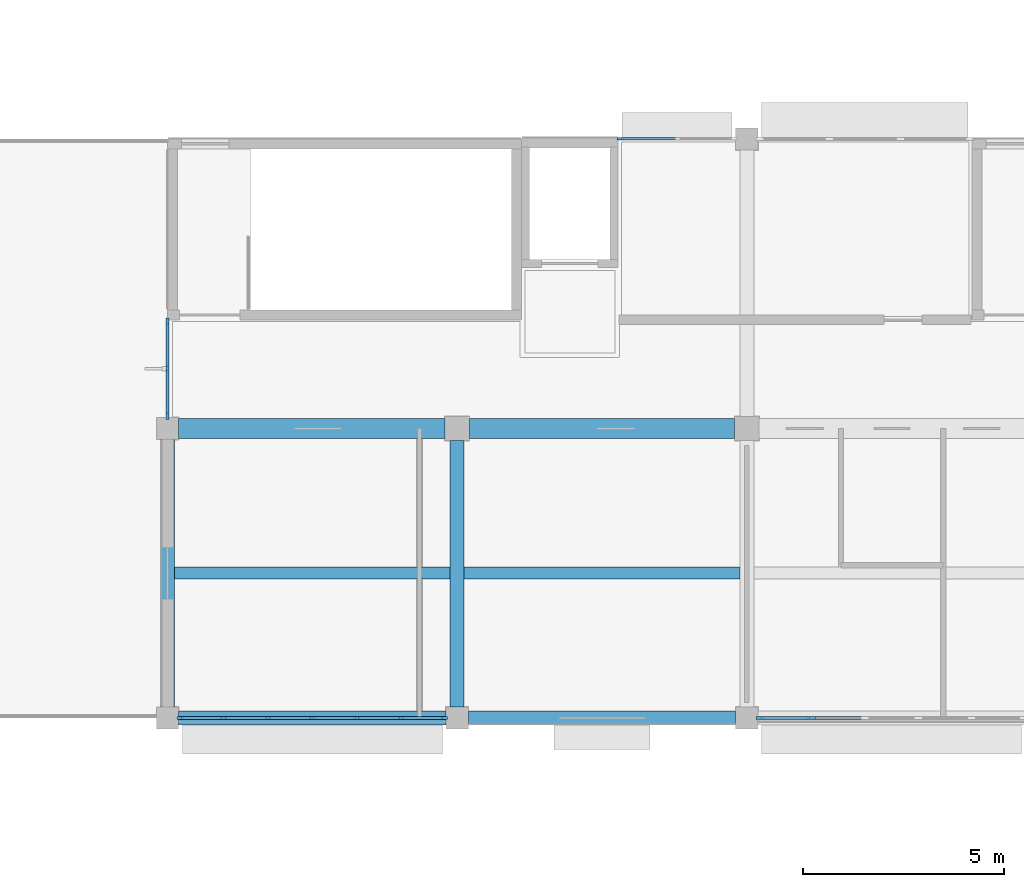
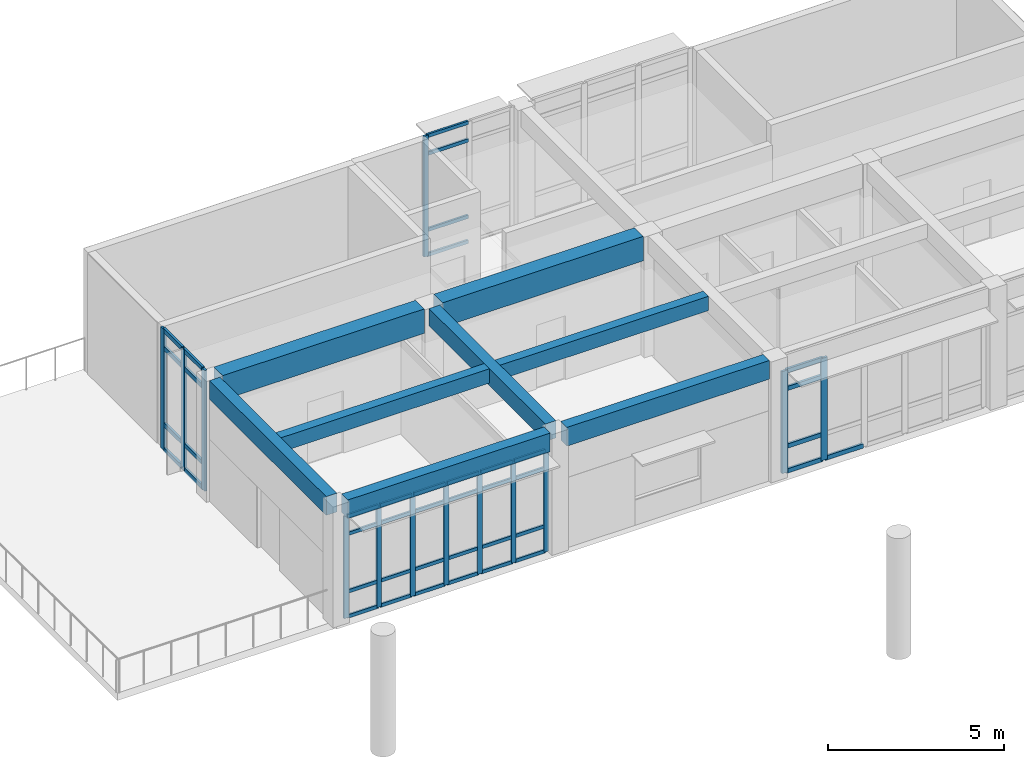
# One storey, part 3 of 41: 54 members, 8 beams, 4 elements without a shape of their own.
"""IFC4 building model written with IfcOpenShell, lengths in metres."""

from ifc_helpers import new_model, si_unit, direction, frame, origin, origin_2d, place, context, subcontext, project, spatial, rectangle, extrude, material, layer, layer_set, material_profile, profile_set, type_object, element, aggregate, save


model = new_model("IFC4")

# Units and contexts
model_context = context("Model", 3, precision=1e-05, world=origin(), true_north=direction((0.0, 1.0)))
body_context = subcontext(model_context, "Body", "Model", "MODEL_VIEW")
ifc_project = project(units=[si_unit("LENGTHUNIT", "METRE"), si_unit("AREAUNIT", "SQUARE_METRE"), si_unit("VOLUMEUNIT", "CUBIC_METRE"), si_unit("PLANEANGLEUNIT", "RADIAN"), si_unit("MASSUNIT", "GRAM", prefix="KILO")], contexts=[model_context])

# Site, building, storey
site_placement = place(None, origin())
site = spatial("IfcSite", under=ifc_project, at=site_placement, CompositionType="ELEMENT")
building_placement = place(site_placement, origin())
building = spatial("IfcBuilding", under=site, at=building_placement, Name="Namkhue Oval Health Centre", CompositionType="ELEMENT")
storey_placement = place(building_placement, frame((0.0, 0.0, 13.800048828125)))
storey = spatial("IfcBuildingStorey", under=building, at=storey_placement, Name="L03", CompositionType="ELEMENT", Elevation=13.800048828125)

# Curtain wall, members
ifc_material_1 = material(Name="Anodised aluminium EN AW-6063 T6", Category="aluminium")
ifc_layer_1 = layer(ifc_material_1, 0.159912109375)
ifc_layer_set_1 = layer_set([ifc_layer_1], Name="Anodised aluminium EN AW-6063 T6")
curtain_wall_type_1 = type_object("IfcCurtainWallType", Name="UNITISED CURTAIN WALL M1200", PredefinedType="NOTDEFINED", material=ifc_layer_set_1)
curtain_wall_1_placement = place(storey_placement, origin())
curtain_wall_1 = element("IfcCurtainWall", 1, at=curtain_wall_1_placement, inside=storey, type_object=curtain_wall_type_1, Name="Volume V4 L03 Unitised Curtain Wall 169", PredefinedType="NOTDEFINED")
ifc_material_profile_1 = material_profile(ifc_material_1, rectangle(XDim=0.06494140625, YDim=0.159912109375, at=origin_2d()), Name="ALU 65x160")
ifc_profile_set_1 = profile_set([ifc_material_profile_1], Name="Anodised aluminium EN AW-6063 T6")
member_type_1 = type_object("IfcMemberType", Name="CURTAIN WALL MULLION 65X160", PredefinedType="MULLION", material=ifc_profile_set_1)
member_1_placement = place(storey_placement, frame((57.91845703125, 14.39990234375, 0.0), z_axis=(0.0, 0.0, 1.0), x_axis=(0.0, 1.0, 0.0)))
member_1 = element("IfcMember", 2, at=member_1_placement, type_object=member_type_1, Name="CW-01 mullion 1", PredefinedType="MULLION", context=body_context, shape_type="SweptSolid", body=[
    extrude(rectangle(XDim=0.06494140625, YDim=0.159912109375, at=origin_2d()), origin(), (0.0, 0.0, 1.0), 3.550048828125),
])
member_2_placement = place(storey_placement, frame((58.99072265625, 14.39990234375, 0.0), z_axis=(0.0, 0.0, 1.0), x_axis=(0.0, 1.0, 0.0)))
member_2 = element("IfcMember", 3, at=member_2_placement, type_object=member_type_1, Name="CW-01 mullion 2", PredefinedType="MULLION", context=body_context, shape_type="SweptSolid", body=[
    extrude(rectangle(XDim=0.06494140625, YDim=0.159912109375, at=origin_2d()), origin(), (0.0, 0.0, 1.0), 3.550048828125),
])
member_3_placement = place(storey_placement, frame((60.09521484375, 14.39990234375, 0.0), z_axis=(0.0, 0.0, 1.0), x_axis=(0.0, 1.0, 0.0)))
member_3 = element("IfcMember", 4, at=member_3_placement, type_object=member_type_1, Name="CW-01 mullion 3", PredefinedType="MULLION", context=body_context, shape_type="SweptSolid", body=[
    extrude(rectangle(XDim=0.06494140625, YDim=0.159912109375, at=origin_2d()), origin(), (0.0, 0.0, 1.0), 3.550048828125),
])
member_4_placement = place(storey_placement, frame((61.199951171875, 14.39990234375, 0.0), z_axis=(0.0, 0.0, 1.0), x_axis=(0.0, 1.0, 0.0)))
member_4 = element("IfcMember", 5, at=member_4_placement, type_object=member_type_1, Name="CW-01 mullion 4", PredefinedType="MULLION", context=body_context, shape_type="SweptSolid", body=[
    extrude(rectangle(XDim=0.06494140625, YDim=0.159912109375, at=origin_2d()), origin(), (0.0, 0.0, 1.0), 3.550048828125),
])
member_5_placement = place(storey_placement, frame((62.3046875, 14.39990234375, 0.0), z_axis=(0.0, 0.0, 1.0), x_axis=(0.0, 1.0, 0.0)))
member_5 = element("IfcMember", 6, at=member_5_placement, type_object=member_type_1, Name="CW-01 mullion 5", PredefinedType="MULLION", context=body_context, shape_type="SweptSolid", body=[
    extrude(rectangle(XDim=0.06494140625, YDim=0.159912109375, at=origin_2d()), origin(), (0.0, 0.0, 1.0), 3.550048828125),
])
member_6_placement = place(storey_placement, frame((63.409423828125, 14.39990234375, 0.0), z_axis=(0.0, 0.0, 1.0), x_axis=(0.0, 1.0, 0.0)))
member_6 = element("IfcMember", 7, at=member_6_placement, type_object=member_type_1, Name="CW-01 mullion 6", PredefinedType="MULLION", context=body_context, shape_type="SweptSolid", body=[
    extrude(rectangle(XDim=0.06494140625, YDim=0.159912109375, at=origin_2d()), origin(), (0.0, 0.0, 1.0), 3.550048828125),
])
member_7_placement = place(storey_placement, frame((64.4814453125, 14.39990234375, 0.0), z_axis=(0.0, 0.0, 1.0), x_axis=(0.0, 1.0, 0.0)))
member_7 = element("IfcMember", 8, at=member_7_placement, type_object=member_type_1, Name="CW-01 mullion 7", PredefinedType="MULLION", context=body_context, shape_type="SweptSolid", body=[
    extrude(rectangle(XDim=0.06494140625, YDim=0.159912109375, at=origin_2d()), origin(), (0.0, 0.0, 1.0), 3.550048828125),
])

# Curtain wall, member
curtain_wall_2_placement = place(storey_placement, origin())
curtain_wall_2 = element("IfcCurtainWall", 9, at=curtain_wall_2_placement, inside=storey, type_object=curtain_wall_type_1, Name="Volume V4 L03 Unitised Curtain Wall 175", PredefinedType="NOTDEFINED")
member_8_placement = place(storey_placement, frame((68.849609375, 28.800048828125, 0.0), z_axis=(0.0, 0.0, 1.0), x_axis=(0.0, -1.0, 0.0)))
member_8 = element("IfcMember", 10, at=member_8_placement, type_object=member_type_1, Name="CW-01 mullion 3", PredefinedType="MULLION", context=body_context, shape_type="SweptSolid", body=[
    extrude(rectangle(XDim=0.06494140625, YDim=0.159912109375, at=origin_2d()), origin(), (0.0, 0.0, 1.0), 4.199951171875),
])

# Curtain wall, members
ifc_layer_2 = layer(ifc_material_1, 0.159912109375)
ifc_layer_set_2 = layer_set([ifc_layer_2], Name="Anodised aluminium EN AW-6063 T6")
curtain_wall_type_2 = type_object("IfcCurtainWallType", Name="UNITISED CURTAIN WALL M1350", PredefinedType="NOTDEFINED", material=ifc_layer_set_2)
curtain_wall_3_placement = place(storey_placement, origin())
curtain_wall_3 = element("IfcCurtainWall", 11, at=curtain_wall_3_placement, inside=storey, type_object=curtain_wall_type_2, Name="Volume V4 L03 Unitised Curtain Wall 170", PredefinedType="NOTDEFINED")
ifc_material_profile_2 = material_profile(ifc_material_1, rectangle(XDim=0.074951171875, YDim=0.199951171875, at=origin_2d()), Name="ALU 75x200")
ifc_profile_set_2 = profile_set([ifc_material_profile_2], Name="Anodised aluminium EN AW-6063 T6")
member_type_2 = type_object("IfcMemberType", Name="CURTAIN WALL MULLION 75X200", PredefinedType="MULLION", material=ifc_profile_set_2)
member_9_placement = place(storey_placement, frame((72.323486328125, 14.39990234375, 0.0), z_axis=(0.0, 0.0, 1.0), x_axis=(0.0, 1.0, 0.0)))
member_9 = element("IfcMember", 12, at=member_9_placement, type_object=member_type_2, Name="CW-02 mullion 1", PredefinedType="MULLION", context=body_context, shape_type="SweptSolid", body=[
    extrude(rectangle(XDim=0.074951171875, YDim=0.199951171875, at=origin_2d()), origin(), (0.0, 0.0, 1.0), 3.550048828125),
])
member_10_placement = place(storey_placement, frame((73.611572265625, 14.39990234375, 0.0), z_axis=(0.0, 0.0, 1.0), x_axis=(0.0, 1.0, 0.0)))
member_10 = element("IfcMember", 13, at=member_10_placement, type_object=member_type_2, Name="CW-02 mullion 2", PredefinedType="MULLION", context=body_context, shape_type="SweptSolid", body=[
    extrude(rectangle(XDim=0.074951171875, YDim=0.199951171875, at=origin_2d()), origin(), (0.0, 0.0, 1.0), 3.550048828125),
])

curtain_wall_4_placement = place(storey_placement, origin())
curtain_wall_4 = element("IfcCurtainWall", 14, at=curtain_wall_4_placement, inside=storey, type_object=curtain_wall_type_2, Name="Volume V4 L03 Unitised Curtain Wall 176", PredefinedType="NOTDEFINED")
member_11_placement = place(storey_placement, frame((57.60009765625, 24.24560546875, 0.0), z_axis=(0.0, 0.0, 1.0), x_axis=(1.0, 0.0, 0.0)))
member_11 = element("IfcMember", 15, at=member_11_placement, type_object=member_type_2, Name="CW-02 mullion 1", PredefinedType="MULLION", context=body_context, shape_type="SweptSolid", body=[
    extrude(rectangle(XDim=0.074951171875, YDim=0.199951171875, at=origin_2d()), origin(), (0.0, 0.0, 1.0), 4.199951171875),
])
member_12_placement = place(storey_placement, frame((57.60009765625, 23.08447265625, 0.0), z_axis=(0.0, 0.0, 1.0), x_axis=(1.0, 0.0, 0.0)))
member_12 = element("IfcMember", 16, at=member_12_placement, type_object=member_type_2, Name="CW-02 mullion 2", PredefinedType="MULLION", context=body_context, shape_type="SweptSolid", body=[
    extrude(rectangle(XDim=0.074951171875, YDim=0.199951171875, at=origin_2d()), origin(), (0.0, 0.0, 1.0), 4.199951171875),
])
member_13_placement = place(storey_placement, frame((57.60009765625, 21.923583984375, 0.0), z_axis=(0.0, 0.0, 1.0), x_axis=(1.0, 0.0, 0.0)))
member_13 = element("IfcMember", 17, at=member_13_placement, type_object=member_type_2, Name="CW-02 mullion 3", PredefinedType="MULLION", context=body_context, shape_type="SweptSolid", body=[
    extrude(rectangle(XDim=0.074951171875, YDim=0.199951171875, at=origin_2d()), origin(), (0.0, 0.0, 1.0), 4.199951171875),
])

# Member
ifc_material_profile_3 = material_profile(ifc_material_1, rectangle(XDim=0.06494140625, YDim=0.1201171875, at=origin_2d()), Name="ALU 65x120")
ifc_profile_set_3 = profile_set([ifc_material_profile_3], Name="Anodised aluminium EN AW-6063 T6")
member_type_3 = type_object("IfcMemberType", Name="CURTAIN WALL TRANSOM 65X120", PredefinedType="USERDEFINED", material=ifc_profile_set_3)
member_14_placement = place(storey_placement, frame((57.950927734375, 14.39990234375, 0.032470703125), z_axis=(1.0, 0.0, 0.0), x_axis=(0.0, 1.0, 0.0)))
member_14 = element("IfcMember", 18, at=member_14_placement, type_object=member_type_3, Name="CW-01 transom 1.1", ObjectType="TRANSOM", PredefinedType="USERDEFINED", context=body_context, shape_type="SweptSolid", body=[
    extrude(rectangle(XDim=0.06494140625, YDim=0.1201171875, at=origin_2d()), origin(), (0.0, 0.0, 1.0), 1.00732421875),
])

member_15_placement = place(storey_placement, frame((57.950927734375, 14.39990234375, 0.89990234375), z_axis=(1.0, 0.0, 0.0), x_axis=(0.0, 1.0, 0.0)))
member_15 = element("IfcMember", 19, at=member_15_placement, type_object=member_type_3, Name="CW-01 transom 1.2", ObjectType="TRANSOM", PredefinedType="USERDEFINED", context=body_context, shape_type="SweptSolid", body=[
    extrude(rectangle(XDim=0.06494140625, YDim=0.1201171875, at=origin_2d()), origin(), (0.0, 0.0, 1.0), 1.00732421875),
])

member_16_placement = place(storey_placement, frame((57.950927734375, 14.39990234375, 2.89990234375), z_axis=(1.0, 0.0, 0.0), x_axis=(0.0, 1.0, 0.0)))
member_16 = element("IfcMember", 20, at=member_16_placement, type_object=member_type_3, Name="CW-01 transom 1.3", ObjectType="TRANSOM", PredefinedType="USERDEFINED", context=body_context, shape_type="SweptSolid", body=[
    extrude(rectangle(XDim=0.06494140625, YDim=0.1201171875, at=origin_2d()), origin(), (0.0, 0.0, 1.0), 1.00732421875),
])

member_17_placement = place(storey_placement, frame((57.950927734375, 14.39990234375, 3.517333984375), z_axis=(1.0, 0.0, 0.0), x_axis=(0.0, 1.0, 0.0)))
member_17 = element("IfcMember", 21, at=member_17_placement, type_object=member_type_3, Name="CW-01 transom 1.4", ObjectType="TRANSOM", PredefinedType="USERDEFINED", context=body_context, shape_type="SweptSolid", body=[
    extrude(rectangle(XDim=0.06494140625, YDim=0.1201171875, at=origin_2d()), origin(), (0.0, 0.0, 1.0), 1.00732421875),
])

member_18_placement = place(storey_placement, frame((59.023193359375, 14.39990234375, 0.032470703125), z_axis=(1.0, 0.0, 0.0), x_axis=(0.0, 1.0, 0.0)))
member_18 = element("IfcMember", 22, at=member_18_placement, type_object=member_type_3, Name="CW-01 transom 2.1", ObjectType="TRANSOM", PredefinedType="USERDEFINED", context=body_context, shape_type="SweptSolid", body=[
    extrude(rectangle(XDim=0.06494140625, YDim=0.1201171875, at=origin_2d()), origin(), (0.0, 0.0, 1.0), 1.03955078125),
])

member_19_placement = place(storey_placement, frame((59.023193359375, 14.39990234375, 0.89990234375), z_axis=(1.0, 0.0, 0.0), x_axis=(0.0, 1.0, 0.0)))
member_19 = element("IfcMember", 23, at=member_19_placement, type_object=member_type_3, Name="CW-01 transom 2.2", ObjectType="TRANSOM", PredefinedType="USERDEFINED", context=body_context, shape_type="SweptSolid", body=[
    extrude(rectangle(XDim=0.06494140625, YDim=0.1201171875, at=origin_2d()), origin(), (0.0, 0.0, 1.0), 1.03955078125),
])

member_20_placement = place(storey_placement, frame((59.023193359375, 14.39990234375, 2.89990234375), z_axis=(1.0, 0.0, 0.0), x_axis=(0.0, 1.0, 0.0)))
member_20 = element("IfcMember", 24, at=member_20_placement, type_object=member_type_3, Name="CW-01 transom 2.3", ObjectType="TRANSOM", PredefinedType="USERDEFINED", context=body_context, shape_type="SweptSolid", body=[
    extrude(rectangle(XDim=0.06494140625, YDim=0.1201171875, at=origin_2d()), origin(), (0.0, 0.0, 1.0), 1.03955078125),
])

member_21_placement = place(storey_placement, frame((59.023193359375, 14.39990234375, 3.517333984375), z_axis=(1.0, 0.0, 0.0), x_axis=(0.0, 1.0, 0.0)))
member_21 = element("IfcMember", 25, at=member_21_placement, type_object=member_type_3, Name="CW-01 transom 2.4", ObjectType="TRANSOM", PredefinedType="USERDEFINED", context=body_context, shape_type="SweptSolid", body=[
    extrude(rectangle(XDim=0.06494140625, YDim=0.1201171875, at=origin_2d()), origin(), (0.0, 0.0, 1.0), 1.03955078125),
])

member_22_placement = place(storey_placement, frame((60.1279296875, 14.39990234375, 0.032470703125), z_axis=(1.0, 0.0, 0.0), x_axis=(0.0, 1.0, 0.0)))
member_22 = element("IfcMember", 26, at=member_22_placement, type_object=member_type_3, Name="CW-01 transom 3.1", ObjectType="TRANSOM", PredefinedType="USERDEFINED", context=body_context, shape_type="SweptSolid", body=[
    extrude(rectangle(XDim=0.06494140625, YDim=0.1201171875, at=origin_2d()), origin(), (0.0, 0.0, 1.0), 1.03955078125),
])

member_23_placement = place(storey_placement, frame((60.1279296875, 14.39990234375, 0.89990234375), z_axis=(1.0, 0.0, 0.0), x_axis=(0.0, 1.0, 0.0)))
member_23 = element("IfcMember", 27, at=member_23_placement, type_object=member_type_3, Name="CW-01 transom 3.2", ObjectType="TRANSOM", PredefinedType="USERDEFINED", context=body_context, shape_type="SweptSolid", body=[
    extrude(rectangle(XDim=0.06494140625, YDim=0.1201171875, at=origin_2d()), origin(), (0.0, 0.0, 1.0), 1.03955078125),
])

member_24_placement = place(storey_placement, frame((60.1279296875, 14.39990234375, 2.89990234375), z_axis=(1.0, 0.0, 0.0), x_axis=(0.0, 1.0, 0.0)))
member_24 = element("IfcMember", 28, at=member_24_placement, type_object=member_type_3, Name="CW-01 transom 3.3", ObjectType="TRANSOM", PredefinedType="USERDEFINED", context=body_context, shape_type="SweptSolid", body=[
    extrude(rectangle(XDim=0.06494140625, YDim=0.1201171875, at=origin_2d()), origin(), (0.0, 0.0, 1.0), 1.03955078125),
])

member_25_placement = place(storey_placement, frame((60.1279296875, 14.39990234375, 3.517333984375), z_axis=(1.0, 0.0, 0.0), x_axis=(0.0, 1.0, 0.0)))
member_25 = element("IfcMember", 29, at=member_25_placement, type_object=member_type_3, Name="CW-01 transom 3.4", ObjectType="TRANSOM", PredefinedType="USERDEFINED", context=body_context, shape_type="SweptSolid", body=[
    extrude(rectangle(XDim=0.06494140625, YDim=0.1201171875, at=origin_2d()), origin(), (0.0, 0.0, 1.0), 1.03955078125),
])

member_26_placement = place(storey_placement, frame((61.232421875, 14.39990234375, 0.032470703125), z_axis=(1.0, 0.0, 0.0), x_axis=(0.0, 1.0, 0.0)))
member_26 = element("IfcMember", 30, at=member_26_placement, type_object=member_type_3, Name="CW-01 transom 4.1", ObjectType="TRANSOM", PredefinedType="USERDEFINED", context=body_context, shape_type="SweptSolid", body=[
    extrude(rectangle(XDim=0.06494140625, YDim=0.1201171875, at=origin_2d()), origin(), (0.0, 0.0, 1.0), 1.039794921875),
])

member_27_placement = place(storey_placement, frame((61.232421875, 14.39990234375, 0.89990234375), z_axis=(1.0, 0.0, 0.0), x_axis=(0.0, 1.0, 0.0)))
member_27 = element("IfcMember", 31, at=member_27_placement, type_object=member_type_3, Name="CW-01 transom 4.2", ObjectType="TRANSOM", PredefinedType="USERDEFINED", context=body_context, shape_type="SweptSolid", body=[
    extrude(rectangle(XDim=0.06494140625, YDim=0.1201171875, at=origin_2d()), origin(), (0.0, 0.0, 1.0), 1.039794921875),
])

member_28_placement = place(storey_placement, frame((61.232421875, 14.39990234375, 2.89990234375), z_axis=(1.0, 0.0, 0.0), x_axis=(0.0, 1.0, 0.0)))
member_28 = element("IfcMember", 32, at=member_28_placement, type_object=member_type_3, Name="CW-01 transom 4.3", ObjectType="TRANSOM", PredefinedType="USERDEFINED", context=body_context, shape_type="SweptSolid", body=[
    extrude(rectangle(XDim=0.06494140625, YDim=0.1201171875, at=origin_2d()), origin(), (0.0, 0.0, 1.0), 1.039794921875),
])

member_29_placement = place(storey_placement, frame((61.232421875, 14.39990234375, 3.517333984375), z_axis=(1.0, 0.0, 0.0), x_axis=(0.0, 1.0, 0.0)))
member_29 = element("IfcMember", 33, at=member_29_placement, type_object=member_type_3, Name="CW-01 transom 4.4", ObjectType="TRANSOM", PredefinedType="USERDEFINED", context=body_context, shape_type="SweptSolid", body=[
    extrude(rectangle(XDim=0.06494140625, YDim=0.1201171875, at=origin_2d()), origin(), (0.0, 0.0, 1.0), 1.039794921875),
])

member_30_placement = place(storey_placement, frame((62.337158203125, 14.39990234375, 0.032470703125), z_axis=(1.0, 0.0, 0.0), x_axis=(0.0, 1.0, 0.0)))
member_30 = element("IfcMember", 34, at=member_30_placement, type_object=member_type_3, Name="CW-01 transom 5.1", ObjectType="TRANSOM", PredefinedType="USERDEFINED", context=body_context, shape_type="SweptSolid", body=[
    extrude(rectangle(XDim=0.06494140625, YDim=0.1201171875, at=origin_2d()), origin(), (0.0, 0.0, 1.0), 1.039794921875),
])

member_31_placement = place(storey_placement, frame((62.337158203125, 14.39990234375, 0.89990234375), z_axis=(1.0, 0.0, 0.0), x_axis=(0.0, 1.0, 0.0)))
member_31 = element("IfcMember", 35, at=member_31_placement, type_object=member_type_3, Name="CW-01 transom 5.2", ObjectType="TRANSOM", PredefinedType="USERDEFINED", context=body_context, shape_type="SweptSolid", body=[
    extrude(rectangle(XDim=0.06494140625, YDim=0.1201171875, at=origin_2d()), origin(), (0.0, 0.0, 1.0), 1.039794921875),
])

member_32_placement = place(storey_placement, frame((62.337158203125, 14.39990234375, 2.89990234375), z_axis=(1.0, 0.0, 0.0), x_axis=(0.0, 1.0, 0.0)))
member_32 = element("IfcMember", 36, at=member_32_placement, type_object=member_type_3, Name="CW-01 transom 5.3", ObjectType="TRANSOM", PredefinedType="USERDEFINED", context=body_context, shape_type="SweptSolid", body=[
    extrude(rectangle(XDim=0.06494140625, YDim=0.1201171875, at=origin_2d()), origin(), (0.0, 0.0, 1.0), 1.039794921875),
])

member_33_placement = place(storey_placement, frame((62.337158203125, 14.39990234375, 3.517333984375), z_axis=(1.0, 0.0, 0.0), x_axis=(0.0, 1.0, 0.0)))
member_33 = element("IfcMember", 37, at=member_33_placement, type_object=member_type_3, Name="CW-01 transom 5.4", ObjectType="TRANSOM", PredefinedType="USERDEFINED", context=body_context, shape_type="SweptSolid", body=[
    extrude(rectangle(XDim=0.06494140625, YDim=0.1201171875, at=origin_2d()), origin(), (0.0, 0.0, 1.0), 1.039794921875),
])

member_34_placement = place(storey_placement, frame((63.44189453125, 14.39990234375, 0.032470703125), z_axis=(1.0, 0.0, 0.0), x_axis=(0.0, 1.0, 0.0)))
member_34 = element("IfcMember", 38, at=member_34_placement, type_object=member_type_3, Name="CW-01 transom 6.1", ObjectType="TRANSOM", PredefinedType="USERDEFINED", context=body_context, shape_type="SweptSolid", body=[
    extrude(rectangle(XDim=0.06494140625, YDim=0.1201171875, at=origin_2d()), origin(), (0.0, 0.0, 1.0), 1.007080078125),
])

member_35_placement = place(storey_placement, frame((63.44189453125, 14.39990234375, 0.89990234375), z_axis=(1.0, 0.0, 0.0), x_axis=(0.0, 1.0, 0.0)))
member_35 = element("IfcMember", 39, at=member_35_placement, type_object=member_type_3, Name="CW-01 transom 6.2", ObjectType="TRANSOM", PredefinedType="USERDEFINED", context=body_context, shape_type="SweptSolid", body=[
    extrude(rectangle(XDim=0.06494140625, YDim=0.1201171875, at=origin_2d()), origin(), (0.0, 0.0, 1.0), 1.007080078125),
])

member_36_placement = place(storey_placement, frame((63.44189453125, 14.39990234375, 2.89990234375), z_axis=(1.0, 0.0, 0.0), x_axis=(0.0, 1.0, 0.0)))
member_36 = element("IfcMember", 40, at=member_36_placement, type_object=member_type_3, Name="CW-01 transom 6.3", ObjectType="TRANSOM", PredefinedType="USERDEFINED", context=body_context, shape_type="SweptSolid", body=[
    extrude(rectangle(XDim=0.06494140625, YDim=0.1201171875, at=origin_2d()), origin(), (0.0, 0.0, 1.0), 1.007080078125),
])

member_37_placement = place(storey_placement, frame((63.44189453125, 14.39990234375, 3.517333984375), z_axis=(1.0, 0.0, 0.0), x_axis=(0.0, 1.0, 0.0)))
member_37 = element("IfcMember", 41, at=member_37_placement, type_object=member_type_3, Name="CW-01 transom 6.4", ObjectType="TRANSOM", PredefinedType="USERDEFINED", context=body_context, shape_type="SweptSolid", body=[
    extrude(rectangle(XDim=0.06494140625, YDim=0.1201171875, at=origin_2d()), origin(), (0.0, 0.0, 1.0), 1.007080078125),
])

aggregate(curtain_wall_1, [member_1, member_2, member_3, member_4, member_5, member_6, member_7, member_14, member_15, member_16, member_17, member_18, member_19, member_20, member_21, member_22, member_23, member_24, member_25, member_26, member_27, member_28, member_29, member_30, member_31, member_32, member_33, member_34, member_35, member_36, member_37])

member_38_placement = place(storey_placement, frame((70.23291015625, 28.800048828125, 0.032470703125), z_axis=(-1.0, 0.0, 0.0), x_axis=(0.0, -1.0, 0.0)))
member_38 = element("IfcMember", 42, at=member_38_placement, type_object=member_type_3, Name="CW-01 transom 2.1", ObjectType="TRANSOM", PredefinedType="USERDEFINED", context=body_context, shape_type="SweptSolid", body=[
    extrude(rectangle(XDim=0.06494140625, YDim=0.1201171875, at=origin_2d()), origin(), (0.0, 0.0, 1.0), 1.350830078125),
])

member_39_placement = place(storey_placement, frame((70.23291015625, 28.800048828125, 0.89990234375), z_axis=(-1.0, 0.0, 0.0), x_axis=(0.0, -1.0, 0.0)))
member_39 = element("IfcMember", 43, at=member_39_placement, type_object=member_type_3, Name="CW-01 transom 2.2", ObjectType="TRANSOM", PredefinedType="USERDEFINED", context=body_context, shape_type="SweptSolid", body=[
    extrude(rectangle(XDim=0.06494140625, YDim=0.1201171875, at=origin_2d()), origin(), (0.0, 0.0, 1.0), 1.350830078125),
])

member_40_placement = place(storey_placement, frame((70.23291015625, 28.800048828125, 3.550048828125), z_axis=(-1.0, 0.0, 0.0), x_axis=(0.0, -1.0, 0.0)))
member_40 = element("IfcMember", 44, at=member_40_placement, type_object=member_type_3, Name="CW-01 transom 2.3", ObjectType="TRANSOM", PredefinedType="USERDEFINED", context=body_context, shape_type="SweptSolid", body=[
    extrude(rectangle(XDim=0.06494140625, YDim=0.1201171875, at=origin_2d()), origin(), (0.0, 0.0, 1.0), 1.350830078125),
])

member_41_placement = place(storey_placement, frame((70.23291015625, 28.800048828125, 4.16748046875), z_axis=(-1.0, 0.0, 0.0), x_axis=(0.0, -1.0, 0.0)))
member_41 = element("IfcMember", 45, at=member_41_placement, type_object=member_type_3, Name="CW-01 transom 2.4", ObjectType="TRANSOM", PredefinedType="USERDEFINED", context=body_context, shape_type="SweptSolid", body=[
    extrude(rectangle(XDim=0.06494140625, YDim=0.1201171875, at=origin_2d()), origin(), (0.0, 0.0, 1.0), 1.350830078125),
])

aggregate(curtain_wall_2, [member_8, member_38, member_39, member_40, member_41])

ifc_material_profile_4 = material_profile(ifc_material_1, rectangle(XDim=0.074951171875, YDim=0.14990234375, at=origin_2d()), Name="ALU 75x150")
ifc_profile_set_4 = profile_set([ifc_material_profile_4], Name="Anodised aluminium EN AW-6063 T6")
member_type_4 = type_object("IfcMemberType", Name="CURTAIN WALL TRANSOM 75X150", PredefinedType="USERDEFINED", material=ifc_profile_set_4)
member_42_placement = place(storey_placement, frame((72.361083984375, 14.39990234375, 0.037353515625), z_axis=(1.0, 0.0, 0.0), x_axis=(0.0, 1.0, 0.0)))
member_42 = element("IfcMember", 46, at=member_42_placement, type_object=member_type_4, Name="CW-02 transom 1.1", ObjectType="TRANSOM", PredefinedType="USERDEFINED", context=body_context, shape_type="SweptSolid", body=[
    extrude(rectangle(XDim=0.074951171875, YDim=0.14990234375, at=origin_2d()), origin(), (0.0, 0.0, 1.0), 1.213134765625),
])

member_43_placement = place(storey_placement, frame((72.361083984375, 14.39990234375, 0.89990234375), z_axis=(1.0, 0.0, 0.0), x_axis=(0.0, 1.0, 0.0)))
member_43 = element("IfcMember", 47, at=member_43_placement, type_object=member_type_4, Name="CW-02 transom 1.2", ObjectType="TRANSOM", PredefinedType="USERDEFINED", context=body_context, shape_type="SweptSolid", body=[
    extrude(rectangle(XDim=0.074951171875, YDim=0.14990234375, at=origin_2d()), origin(), (0.0, 0.0, 1.0), 1.213134765625),
])

member_44_placement = place(storey_placement, frame((72.361083984375, 14.39990234375, 2.89990234375), z_axis=(1.0, 0.0, 0.0), x_axis=(0.0, 1.0, 0.0)))
member_44 = element("IfcMember", 48, at=member_44_placement, type_object=member_type_4, Name="CW-02 transom 1.3", ObjectType="TRANSOM", PredefinedType="USERDEFINED", context=body_context, shape_type="SweptSolid", body=[
    extrude(rectangle(XDim=0.074951171875, YDim=0.14990234375, at=origin_2d()), origin(), (0.0, 0.0, 1.0), 1.213134765625),
])

member_45_placement = place(storey_placement, frame((72.361083984375, 14.39990234375, 3.512451171875), z_axis=(1.0, 0.0, 0.0), x_axis=(0.0, 1.0, 0.0)))
member_45 = element("IfcMember", 49, at=member_45_placement, type_object=member_type_4, Name="CW-02 transom 1.4", ObjectType="TRANSOM", PredefinedType="USERDEFINED", context=body_context, shape_type="SweptSolid", body=[
    extrude(rectangle(XDim=0.074951171875, YDim=0.14990234375, at=origin_2d()), origin(), (0.0, 0.0, 1.0), 1.213134765625),
])

member_46_placement = place(storey_placement, frame((73.649169921875, 14.39990234375, 0.037353515625), z_axis=(1.0, 0.0, 0.0), x_axis=(0.0, 1.0, 0.0)))
member_46 = element("IfcMember", 50, at=member_46_placement, type_object=member_type_4, Name="CW-02 transom 2.1", ObjectType="TRANSOM", PredefinedType="USERDEFINED", context=body_context, shape_type="SweptSolid", body=[
    extrude(rectangle(XDim=0.074951171875, YDim=0.14990234375, at=origin_2d()), origin(), (0.0, 0.0, 1.0), 1.25048828125),
])

aggregate(curtain_wall_3, [member_9, member_10, member_42, member_43, member_44, member_45, member_46])

member_47_placement = place(storey_placement, frame((57.60009765625, 24.2080078125, 0.037353515625), z_axis=(0.0, -1.0, 0.0), x_axis=(1.0, 0.0, 0.0)))
member_47 = element("IfcMember", 51, at=member_47_placement, type_object=member_type_4, Name="CW-02 transom 1.1", ObjectType="TRANSOM", PredefinedType="USERDEFINED", context=body_context, shape_type="SweptSolid", body=[
    extrude(rectangle(XDim=0.074951171875, YDim=0.14990234375, at=origin_2d()), origin(), (0.0, 0.0, 1.0), 1.0859375),
])

member_48_placement = place(storey_placement, frame((57.60009765625, 24.2080078125, 0.89990234375), z_axis=(0.0, -1.0, 0.0), x_axis=(1.0, 0.0, 0.0)))
member_48 = element("IfcMember", 52, at=member_48_placement, type_object=member_type_4, Name="CW-02 transom 1.2", ObjectType="TRANSOM", PredefinedType="USERDEFINED", context=body_context, shape_type="SweptSolid", body=[
    extrude(rectangle(XDim=0.074951171875, YDim=0.14990234375, at=origin_2d()), origin(), (0.0, 0.0, 1.0), 1.0859375),
])

member_49_placement = place(storey_placement, frame((57.60009765625, 24.2080078125, 3.550048828125), z_axis=(0.0, -1.0, 0.0), x_axis=(1.0, 0.0, 0.0)))
member_49 = element("IfcMember", 53, at=member_49_placement, type_object=member_type_4, Name="CW-02 transom 1.3", ObjectType="TRANSOM", PredefinedType="USERDEFINED", context=body_context, shape_type="SweptSolid", body=[
    extrude(rectangle(XDim=0.074951171875, YDim=0.14990234375, at=origin_2d()), origin(), (0.0, 0.0, 1.0), 1.0859375),
])

member_50_placement = place(storey_placement, frame((57.60009765625, 24.2080078125, 4.162353515625), z_axis=(0.0, -1.0, 0.0), x_axis=(1.0, 0.0, 0.0)))
member_50 = element("IfcMember", 54, at=member_50_placement, type_object=member_type_4, Name="CW-02 transom 1.4", ObjectType="TRANSOM", PredefinedType="USERDEFINED", context=body_context, shape_type="SweptSolid", body=[
    extrude(rectangle(XDim=0.074951171875, YDim=0.14990234375, at=origin_2d()), origin(), (0.0, 0.0, 1.0), 1.0859375),
])

member_51_placement = place(storey_placement, frame((57.60009765625, 23.047119140625, 0.037353515625), z_axis=(0.0, -1.0, 0.0), x_axis=(1.0, 0.0, 0.0)))
member_51 = element("IfcMember", 55, at=member_51_placement, type_object=member_type_4, Name="CW-02 transom 2.1", ObjectType="TRANSOM", PredefinedType="USERDEFINED", context=body_context, shape_type="SweptSolid", body=[
    extrude(rectangle(XDim=0.074951171875, YDim=0.14990234375, at=origin_2d()), origin(), (0.0, 0.0, 1.0), 1.086181640625),
])

member_52_placement = place(storey_placement, frame((57.60009765625, 23.047119140625, 0.89990234375), z_axis=(0.0, -1.0, 0.0), x_axis=(1.0, 0.0, 0.0)))
member_52 = element("IfcMember", 56, at=member_52_placement, type_object=member_type_4, Name="CW-02 transom 2.2", ObjectType="TRANSOM", PredefinedType="USERDEFINED", context=body_context, shape_type="SweptSolid", body=[
    extrude(rectangle(XDim=0.074951171875, YDim=0.14990234375, at=origin_2d()), origin(), (0.0, 0.0, 1.0), 1.086181640625),
])

member_53_placement = place(storey_placement, frame((57.60009765625, 23.047119140625, 3.550048828125), z_axis=(0.0, -1.0, 0.0), x_axis=(1.0, 0.0, 0.0)))
member_53 = element("IfcMember", 57, at=member_53_placement, type_object=member_type_4, Name="CW-02 transom 2.3", ObjectType="TRANSOM", PredefinedType="USERDEFINED", context=body_context, shape_type="SweptSolid", body=[
    extrude(rectangle(XDim=0.074951171875, YDim=0.14990234375, at=origin_2d()), origin(), (0.0, 0.0, 1.0), 1.086181640625),
])

member_54_placement = place(storey_placement, frame((57.60009765625, 23.047119140625, 4.162353515625), z_axis=(0.0, -1.0, 0.0), x_axis=(1.0, 0.0, 0.0)))
member_54 = element("IfcMember", 58, at=member_54_placement, type_object=member_type_4, Name="CW-02 transom 2.4", ObjectType="TRANSOM", PredefinedType="USERDEFINED", context=body_context, shape_type="SweptSolid", body=[
    extrude(rectangle(XDim=0.074951171875, YDim=0.14990234375, at=origin_2d()), origin(), (0.0, 0.0, 1.0), 1.086181640625),
])

aggregate(curtain_wall_4, [member_11, member_12, member_13, member_47, member_48, member_49, member_50, member_51, member_52, member_53, member_54])

# Beams
ifc_material_2 = material(Name="Reinforced concrete C30/37 (TCVN B35)", Category="concrete")
ifc_material_profile_5 = material_profile(ifc_material_2, rectangle(XDim=0.35009765625, YDim=0.60009765625, at=origin_2d()), Name="RC 350x600")
ifc_profile_set_5 = profile_set([ifc_material_profile_5], Name="Reinforced concrete C30/37 (TCVN B35)")
beam_type_1 = type_object("IfcBeamType", Name="FLOOR BEAM RC 350X600", PredefinedType="BEAM", material=ifc_profile_set_5)
beam_1_placement = place(storey_placement, frame((64.800048828125, 14.675048828125, 3.89990234375), z_axis=(0.0, 1.0, 0.0), x_axis=(-1.0, 0.0, 0.0)))
element("IfcBeam", 59, at=beam_1_placement, inside=storey, type_object=beam_type_1, Name="Volume V4 L04 Beam 10/C-D", PredefinedType="BEAM", context=body_context, shape_type="SweptSolid", body=[
    extrude(rectangle(XDim=0.35009765625, YDim=0.60009765625, at=origin_2d()), origin(), (0.0, 0.0, 1.0), 6.625),
])
ifc_material_3 = material(Name="Reinforced concrete C35/45 (TCVN B40)", Category="concrete")
ifc_material_profile_6 = material_profile(ifc_material_3, rectangle(XDim=0.35009765625, YDim=0.64990234375, at=origin_2d()), Name="RC 350x650")
ifc_profile_set_6 = profile_set([ifc_material_profile_6], Name="Reinforced concrete C35/45 (TCVN B40)")
beam_type_2 = type_object("IfcBeamType", Name="PERIMETER SPANDREL BEAM 350X650", PredefinedType="SPANDREL", material=ifc_profile_set_6)
beam_2_placement = place(storey_placement, frame((57.875, 14.39990234375, 3.875), z_axis=(1.0, 0.0, 0.0), x_axis=(0.0, 1.0, 0.0)))
element("IfcBeam", 60, at=beam_2_placement, inside=storey, type_object=beam_type_2, Name="Volume V4 L04 Girder C/9-10", PredefinedType="SPANDREL", context=body_context, shape_type="SweptSolid", body=[
    extrude(rectangle(XDim=0.35009765625, YDim=0.64990234375, at=origin_2d()), origin(), (0.0, 0.0, 1.0), 6.64990234375),
])
beam_3_placement = place(storey_placement, frame((65.074951171875, 14.39990234375, 3.875), z_axis=(1.0, 0.0, 0.0), x_axis=(0.0, 1.0, 0.0)))
element("IfcBeam", 61, at=beam_3_placement, inside=storey, type_object=beam_type_2, Name="Volume V4 L04 Girder C/10-11", PredefinedType="SPANDREL", context=body_context, shape_type="SweptSolid", body=[
    extrude(rectangle(XDim=0.35009765625, YDim=0.64990234375, at=origin_2d()), origin(), (0.0, 0.0, 1.0), 6.650146484375),
])
beam_4_placement = place(storey_placement, frame((57.60009765625, 14.675048828125, 3.875), z_axis=(0.0, 1.0, 0.0), x_axis=(-1.0, 0.0, 0.0)))
element("IfcBeam", 62, at=beam_4_placement, inside=storey, type_object=beam_type_2, Name="Volume V4 L04 Beam 9/C-D", PredefinedType="SPANDREL", context=body_context, shape_type="SweptSolid", body=[
    extrude(rectangle(XDim=0.35009765625, YDim=0.64990234375, at=origin_2d()), origin(), (0.0, 0.0, 1.0), 6.64990234375),
])
ifc_material_profile_7 = material_profile(ifc_material_3, rectangle(XDim=0.5, YDim=0.85009765625, at=origin_2d()), Name="RC 500x850")
ifc_profile_set_7 = profile_set([ifc_material_profile_7], Name="Reinforced concrete C35/45 (TCVN B40)")
beam_type_3 = type_object("IfcBeamType", Name="PRIMARY GIRDER RC 500X850", PredefinedType="USERDEFINED", material=ifc_profile_set_7)
beam_5_placement = place(storey_placement, frame((57.875, 21.60009765625, 3.77490234375), z_axis=(1.0, 0.0, 0.0), x_axis=(0.0, 1.0, 0.0)))
element("IfcBeam", 63, at=beam_5_placement, inside=storey, type_object=beam_type_3, Name="Volume V4 L04 Girder D/9-10", ObjectType="GIRDER", PredefinedType="USERDEFINED", context=body_context, shape_type="SweptSolid", body=[
    extrude(rectangle(XDim=0.5, YDim=0.85009765625, at=origin_2d()), origin(), (0.0, 0.0, 1.0), 6.625),
])
beam_6_placement = place(storey_placement, frame((65.10009765625, 21.60009765625, 3.77490234375), z_axis=(1.0, 0.0, 0.0), x_axis=(0.0, 1.0, 0.0)))
element("IfcBeam", 64, at=beam_6_placement, inside=storey, type_object=beam_type_3, Name="Volume V4 L04 Girder D/10-11", ObjectType="GIRDER", PredefinedType="USERDEFINED", context=body_context, shape_type="SweptSolid", body=[
    extrude(rectangle(XDim=0.5, YDim=0.85009765625, at=origin_2d()), origin(), (0.0, 0.0, 1.0), 6.599853515625),
])
ifc_material_profile_8 = material_profile(ifc_material_2, rectangle(XDim=0.300048828125, YDim=0.5, at=origin_2d()), Name="RC 300x500")
ifc_profile_set_8 = profile_set([ifc_material_profile_8], Name="Reinforced concrete C30/37 (TCVN B35)")
beam_type_4 = type_object("IfcBeamType", Name="SECONDARY JOIST RC 300X500", PredefinedType="JOIST", material=ifc_profile_set_8)
beam_7_placement = place(storey_placement, frame((57.77490234375, 18.0, 3.949951171875), z_axis=(1.0, 0.0, 0.0), x_axis=(0.0, 1.0, 0.0)))
element("IfcBeam", 65, at=beam_7_placement, inside=storey, type_object=beam_type_4, Name="Volume V4 L04 Secondary Joist 9-10", PredefinedType="JOIST", context=body_context, shape_type="SweptSolid", body=[
    extrude(rectangle(XDim=0.300048828125, YDim=0.5, at=origin_2d()), origin(), (0.0, 0.0, 1.0), 6.85009765625),
])
beam_8_placement = place(storey_placement, frame((64.97509765625, 18.0, 3.949951171875), z_axis=(1.0, 0.0, 0.0), x_axis=(0.0, 1.0, 0.0)))
element("IfcBeam", 66, at=beam_8_placement, inside=storey, type_object=beam_type_4, Name="Volume V4 L04 Secondary Joist 10-11", PredefinedType="JOIST", context=body_context, shape_type="SweptSolid", body=[
    extrude(rectangle(XDim=0.300048828125, YDim=0.5, at=origin_2d()), origin(), (0.0, 0.0, 1.0), 6.849853515625),
])

save(model, "model.ifc")
